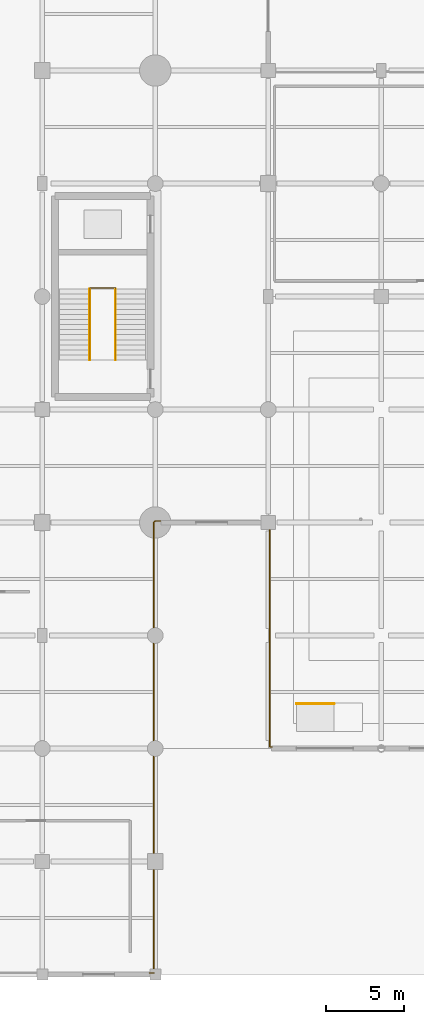
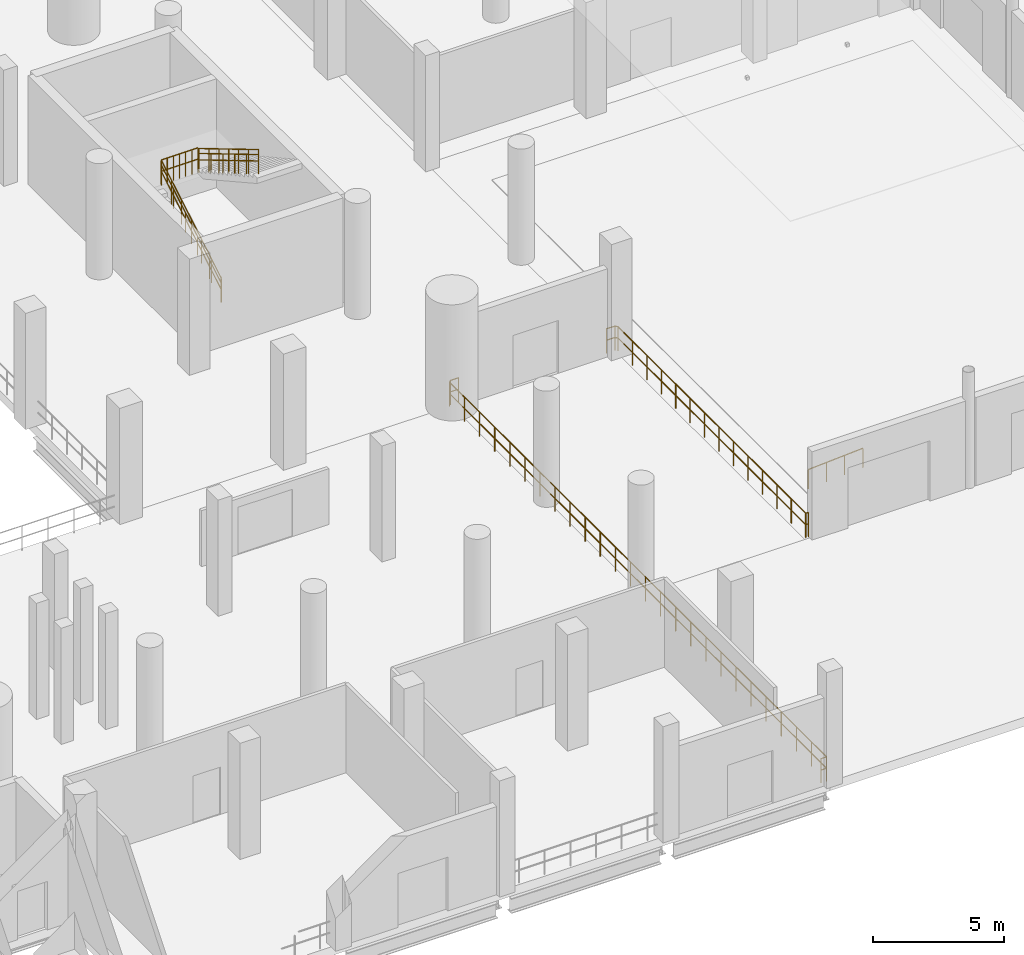
# One storey, part 48 of 58: 9 railings.
"""IFC4 building model written with IfcOpenShell, lengths in metres."""

from ifc_helpers import new_model, si_unit, direction, frame, origin, origin_2d, place, context, subcontext, project, spatial, circle, extrude, material, type_object, element, save


model = new_model("IFC4")

# Units and contexts
model_context = context("Model", 3, precision=1e-05, world=origin(), true_north=direction((0.0, 1.0)))
body_context = subcontext(model_context, "Body", "Model", "MODEL_VIEW")
ifc_project = project(units=[si_unit("LENGTHUNIT", "METRE"), si_unit("AREAUNIT", "SQUARE_METRE"), si_unit("VOLUMEUNIT", "CUBIC_METRE"), si_unit("PLANEANGLEUNIT", "RADIAN"), si_unit("MASSUNIT", "GRAM", prefix="KILO")], contexts=[model_context])

# Site, building, storey
site_placement = place(None, origin())
site = spatial("IfcSite", under=ifc_project, at=site_placement, CompositionType="ELEMENT")
building_placement = place(site_placement, origin())
building = spatial("IfcBuilding", under=site, at=building_placement, Name="Qandorah Velis Arena", CompositionType="ELEMENT")
storey_placement = place(building_placement, origin())
storey = spatial("IfcBuildingStorey", under=building, at=storey_placement, Name="L00", CompositionType="ELEMENT", Elevation=0.0)

# Railings
ifc_material = material(Name="Stainless steel 316", Category="steel")
railing_type_1 = type_object("IfcRailingType", Name="ARC-RL-GRD1150", PredefinedType="GUARDRAIL", material=ifc_material)
railing_1_placement = place(storey_placement, frame((111.0400390625, 43.74609375, 2.699951171875)))
element("IfcRailing", 1, at=railing_1_placement, inside=storey, type_object=railing_type_1, Name="Stair ST11 well guardrail (L00)", PredefinedType="GUARDRAIL", context=body_context, shape_type="SweptSolid", body=[
    extrude(circle(Radius=0.02392578125, at=origin_2d()), frame((0.0, 0.0, 1.1259765625), z_axis=(1.0, 0.0, 0.0), x_axis=(0.0, 1.0, 0.0)), (0.0, 0.0, 1.0), 1.619873046875),
    extrude(circle(Radius=0.02392578125, at=origin_2d()), frame((0.0, 0.0, 0.597900390625), z_axis=(1.0, 0.0, 0.0), x_axis=(0.0, 1.0, 0.0)), (0.0, 0.0, 1.0), 1.619873046875),
    extrude(circle(Radius=0.02099609375, at=origin_2d()), origin(), (0.0, 0.0, 1.0), 1.101806640625),
    extrude(circle(Radius=0.02099609375, at=origin_2d()), frame((0.27001953125, 0.0, 0.0)), (0.0, 0.0, 1.0), 1.101806640625),
    extrude(circle(Radius=0.02099609375, at=origin_2d()), frame((0.5400390625, 0.0, 0.0)), (0.0, 0.0, 1.0), 1.101806640625),
    extrude(circle(Radius=0.02099609375, at=origin_2d()), frame((0.81005859375, 0.0, 0.0)), (0.0, 0.0, 1.0), 1.101806640625),
    extrude(circle(Radius=0.02099609375, at=origin_2d()), frame((1.079833984375, 0.0, 0.0)), (0.0, 0.0, 1.0), 1.101806640625),
    extrude(circle(Radius=0.02099609375, at=origin_2d()), frame((1.349853515625, 0.0, 0.0)), (0.0, 0.0, 1.0), 1.101806640625),
    extrude(circle(Radius=0.02099609375, at=origin_2d()), frame((1.619873046875, 0.0, 0.0)), (0.0, 0.0, 1.0), 1.101806640625),
])
railing_2_placement = place(storey_placement, frame((111.030029296875, 39.14990234375, 0.0)))
element("IfcRailing", 2, at=railing_2_placement, inside=storey, type_object=railing_type_1, Name="Stair ST11 inner flight 1 guardrail (L00)", PredefinedType="GUARDRAIL", context=body_context, shape_type="SweptSolid", body=[
    extrude(circle(Radius=0.02392578125, at=origin_2d()), frame((0.0, 0.0, 1.1259765625), z_axis=(0.0, 0.859303531718, 0.511465971866), x_axis=(-1.0, 0.0, 0.0)), (0.0, 0.0, 1.0), 5.27880859375),
    extrude(circle(Radius=0.02392578125, at=origin_2d()), frame((0.0, 0.0, 0.597900390625), z_axis=(0.0, 0.859303531718, 0.511465971866), x_axis=(-1.0, 0.0, 0.0)), (0.0, 0.0, 1.0), 5.27880859375),
    extrude(circle(Radius=0.02099609375, at=origin_2d()), origin(), (0.0, 0.0, 1.0), 1.101806640625),
    extrude(circle(Radius=0.02099609375, at=origin_2d()), frame((0.0, 0.756103515625, 0.449951171875)), (0.0, 0.0, 1.0), 1.101806640625),
    extrude(circle(Radius=0.02099609375, at=origin_2d()), frame((0.0, 1.511962890625, 0.89990234375)), (0.0, 0.0, 1.0), 1.101806640625),
    extrude(circle(Radius=0.02099609375, at=origin_2d()), frame((0.0, 2.26806640625, 1.35009765625)), (0.0, 0.0, 1.0), 1.101806640625),
    extrude(circle(Radius=0.02099609375, at=origin_2d()), frame((0.0, 3.024169921875, 1.800048828125)), (0.0, 0.0, 1.0), 1.101806640625),
    extrude(circle(Radius=0.02099609375, at=origin_2d()), frame((0.0, 3.780029296875, 2.25)), (0.0, 0.0, 1.0), 1.101806640625),
    extrude(circle(Radius=0.02099609375, at=origin_2d()), frame((0.0, 4.5361328125, 2.699951171875)), (0.0, 0.0, 1.0), 1.101806640625),
])
railing_3_placement = place(storey_placement, frame((112.669921875, 43.68603515625, 2.699951171875)))
element("IfcRailing", 3, at=railing_3_placement, inside=storey, type_object=railing_type_1, Name="Stair ST11 inner flight 2 guardrail (L00)", PredefinedType="GUARDRAIL", context=body_context, shape_type="SweptSolid", body=[
    extrude(circle(Radius=0.02392578125, at=origin_2d()), frame((0.0, 0.0, 1.1259765625), z_axis=(0.0, -0.859303531718, 0.511465971866), x_axis=(1.0, 0.0, 0.0)), (0.0, 0.0, 1.0), 5.27880859375),
    extrude(circle(Radius=0.02392578125, at=origin_2d()), frame((0.0, 0.0, 0.597900390625), z_axis=(0.0, -0.859303531718, 0.511465971866), x_axis=(1.0, 0.0, 0.0)), (0.0, 0.0, 1.0), 5.27880859375),
    extrude(circle(Radius=0.02099609375, at=origin_2d()), origin(), (0.0, 0.0, 1.0), 1.101806640625),
    extrude(circle(Radius=0.02099609375, at=origin_2d()), frame((0.0, -0.756103515625, 0.449951171875)), (0.0, 0.0, 1.0), 1.101806640625),
    extrude(circle(Radius=0.02099609375, at=origin_2d()), frame((0.0, -1.511962890625, 0.89990234375)), (0.0, 0.0, 1.0), 1.101806640625),
    extrude(circle(Radius=0.02099609375, at=origin_2d()), frame((0.0, -2.26806640625, 1.35009765625)), (0.0, 0.0, 1.0), 1.101806640625),
    extrude(circle(Radius=0.02099609375, at=origin_2d()), frame((0.0, -3.024169921875, 1.800048828125)), (0.0, 0.0, 1.0), 1.101806640625),
    extrude(circle(Radius=0.02099609375, at=origin_2d()), frame((0.0, -3.780029296875, 2.25)), (0.0, 0.0, 1.0), 1.101806640625),
    extrude(circle(Radius=0.02099609375, at=origin_2d()), frame((0.0, -4.5361328125, 2.699951171875)), (0.0, 0.0, 1.0), 1.101806640625),
])
railing_4_placement = place(storey_placement, frame((115.10009765625, 0.10009765625, 0.0)))
element("IfcRailing", 4, at=railing_4_placement, inside=storey, type_object=railing_type_1, Name="Slab edge safety guardrail L00-019", PredefinedType="GUARDRAIL", context=body_context, shape_type="SweptSolid", body=[
    extrude(circle(Radius=0.02392578125, at=origin_2d()), frame((0.0, 0.0, 1.1259765625), z_axis=(-1.0, 0.0, 0.0), x_axis=(0.0, -1.0, 0.0)), (0.0, 0.0, 1.0), 0.25),
    extrude(circle(Radius=0.02392578125, at=origin_2d()), frame((0.0, 0.0, 0.597900390625), z_axis=(-1.0, 0.0, 0.0), x_axis=(0.0, -1.0, 0.0)), (0.0, 0.0, 1.0), 0.25),
    extrude(circle(Radius=0.02099609375, at=origin_2d()), origin(), (0.0, 0.0, 1.0), 1.101806640625),
    extrude(circle(Radius=0.02099609375, at=origin_2d()), frame((-0.25, 0.0, 0.0)), (0.0, 0.0, 1.0), 1.101806640625),
])
railing_5_placement = place(storey_placement, frame((122.6201171875, 14.5, 0.0)))
element("IfcRailing", 5, at=railing_5_placement, inside=storey, type_object=railing_type_1, Name="Slab edge safety guardrail L00-067", PredefinedType="GUARDRAIL", context=body_context, shape_type="SweptSolid", body=[
    extrude(circle(Radius=0.02392578125, at=origin_2d()), frame((0.0, 0.0, 1.1259765625), z_axis=(-1.0, 0.0, 0.0), x_axis=(0.0, -1.0, 0.0)), (0.0, 0.0, 1.0), 0.1201171875),
    extrude(circle(Radius=0.02392578125, at=origin_2d()), frame((0.0, 0.0, 0.597900390625), z_axis=(-1.0, 0.0, 0.0), x_axis=(0.0, -1.0, 0.0)), (0.0, 0.0, 1.0), 0.1201171875),
    extrude(circle(Radius=0.02392578125, at=origin_2d()), frame((-0.1201171875, 0.0, 1.1259765625), z_axis=(0.0, 1.0, 0.0), x_axis=(-1.0, 0.0, 0.0)), (0.0, 0.0, 1.0), 14.300048828125),
    extrude(circle(Radius=0.02392578125, at=origin_2d()), frame((-0.1201171875, 0.0, 0.597900390625), z_axis=(0.0, 1.0, 0.0), x_axis=(-1.0, 0.0, 0.0)), (0.0, 0.0, 1.0), 14.300048828125),
    extrude(circle(Radius=0.02392578125, at=origin_2d()), frame((-0.1201171875, 14.300048828125, 1.1259765625), z_axis=(-0.634493378388, 0.772928297309, 0.0), x_axis=(-0.772928297309, -0.634493378388, 0.0)), (0.0, 0.0, 1.0), 0.126953125),
    extrude(circle(Radius=0.02392578125, at=origin_2d()), frame((-0.1201171875, 14.300048828125, 0.597900390625), z_axis=(-0.634493378388, 0.772928297309, 0.0), x_axis=(-0.772928297309, -0.634493378388, 0.0)), (0.0, 0.0, 1.0), 0.126953125),
    extrude(circle(Radius=0.02392578125, at=origin_2d()), frame((-0.20068359375, 14.398193359375, 1.1259765625), z_axis=(-0.999989297598, 0.004626520214, 0.0), x_axis=(-0.004626520214, -0.999989297598, 0.0)), (0.0, 0.0, 1.0), 0.369384765625),
    extrude(circle(Radius=0.02392578125, at=origin_2d()), frame((-0.20068359375, 14.398193359375, 0.597900390625), z_axis=(-0.999989297598, 0.004626520214, 0.0), x_axis=(-0.004626520214, -0.999989297598, 0.0)), (0.0, 0.0, 1.0), 0.369384765625),
    extrude(circle(Radius=0.02099609375, at=origin_2d()), origin(), (0.0, 0.0, 1.0), 1.101806640625),
    extrude(circle(Radius=0.02099609375, at=origin_2d()), frame((-0.1201171875, 0.0, 0.0)), (0.0, 0.0, 1.0), 1.101806640625),
    extrude(circle(Radius=0.02099609375, at=origin_2d()), frame((-0.1201171875, 1.10009765625, 0.0)), (0.0, 0.0, 1.0), 1.101806640625),
    extrude(circle(Radius=0.02099609375, at=origin_2d()), frame((-0.1201171875, 2.199951171875, 0.0)), (0.0, 0.0, 1.0), 1.101806640625),
    extrude(circle(Radius=0.02099609375, at=origin_2d()), frame((-0.1201171875, 3.300048828125, 0.0)), (0.0, 0.0, 1.0), 1.101806640625),
    extrude(circle(Radius=0.02099609375, at=origin_2d()), frame((-0.1201171875, 4.39990234375, 0.0)), (0.0, 0.0, 1.0), 1.101806640625),
    extrude(circle(Radius=0.02099609375, at=origin_2d()), frame((-0.1201171875, 5.5, 0.0)), (0.0, 0.0, 1.0), 1.101806640625),
    extrude(circle(Radius=0.02099609375, at=origin_2d()), frame((-0.1201171875, 6.60009765625, 0.0)), (0.0, 0.0, 1.0), 1.101806640625),
    extrude(circle(Radius=0.02099609375, at=origin_2d()), frame((-0.1201171875, 7.699951171875, 0.0)), (0.0, 0.0, 1.0), 1.101806640625),
    extrude(circle(Radius=0.02099609375, at=origin_2d()), frame((-0.1201171875, 8.800048828125, 0.0)), (0.0, 0.0, 1.0), 1.101806640625),
    extrude(circle(Radius=0.02099609375, at=origin_2d()), frame((-0.1201171875, 9.900146484375, 0.0)), (0.0, 0.0, 1.0), 1.101806640625),
    extrude(circle(Radius=0.02099609375, at=origin_2d()), frame((-0.1201171875, 11.0, 0.0)), (0.0, 0.0, 1.0), 1.101806640625),
    extrude(circle(Radius=0.02099609375, at=origin_2d()), frame((-0.1201171875, 12.10009765625, 0.0)), (0.0, 0.0, 1.0), 1.101806640625),
    extrude(circle(Radius=0.02099609375, at=origin_2d()), frame((-0.1201171875, 13.199951171875, 0.0)), (0.0, 0.0, 1.0), 1.101806640625),
    extrude(circle(Radius=0.02099609375, at=origin_2d()), frame((-0.1201171875, 14.300048828125, 0.0)), (0.0, 0.0, 1.0), 1.101806640625),
    extrude(circle(Radius=0.02099609375, at=origin_2d()), frame((-0.20068359375, 14.398193359375, 0.0)), (0.0, 0.0, 1.0), 1.101806640625),
    extrude(circle(Radius=0.02099609375, at=origin_2d()), frame((-0.570068359375, 14.39990234375, 0.0)), (0.0, 0.0, 1.0), 1.101806640625),
])
railing_6_placement = place(storey_placement, frame((115.550048828125, 28.89990234375, 0.0)))
element("IfcRailing", 6, at=railing_6_placement, inside=storey, type_object=railing_type_1, Name="Slab edge safety guardrail L00-068", PredefinedType="GUARDRAIL", context=body_context, shape_type="SweptSolid", body=[
    extrude(circle(Radius=0.02392578125, at=origin_2d()), frame((0.0, 0.0, 1.1259765625), z_axis=(-1.0, 0.0, 0.0), x_axis=(0.0, -1.0, 0.0)), (0.0, 0.0, 1.0), 0.35009765625),
    extrude(circle(Radius=0.02392578125, at=origin_2d()), frame((0.0, 0.0, 0.597900390625), z_axis=(-1.0, 0.0, 0.0), x_axis=(0.0, -1.0, 0.0)), (0.0, 0.0, 1.0), 0.35009765625),
    extrude(circle(Radius=0.02392578125, at=origin_2d()), frame((-0.35009765625, 0.0, 1.1259765625), z_axis=(-0.773871522392, -0.633342614097, 0.0), x_axis=(0.633342614097, -0.773871522392, 0.0)), (0.0, 0.0, 1.0), 0.126708984375),
    extrude(circle(Radius=0.02392578125, at=origin_2d()), frame((-0.35009765625, 0.0, 0.597900390625), z_axis=(-0.773871522392, -0.633342614097, 0.0), x_axis=(0.633342614097, -0.773871522392, 0.0)), (0.0, 0.0, 1.0), 0.126708984375),
    extrude(circle(Radius=0.02392578125, at=origin_2d()), frame((-0.4482421875, -0.080322265625, 1.1259765625), z_axis=(-5.9506099e-05, -0.99999999823, 0.0), x_axis=(0.99999999823, -5.9506099e-05, 0.0)), (0.0, 0.0, 1.0), 28.719482421875),
    extrude(circle(Radius=0.02392578125, at=origin_2d()), frame((-0.4482421875, -0.080322265625, 0.597900390625), z_axis=(-5.9506099e-05, -0.99999999823, 0.0), x_axis=(0.99999999823, -5.9506099e-05, 0.0)), (0.0, 0.0, 1.0), 28.719482421875),
    extrude(circle(Radius=0.02099609375, at=origin_2d()), origin(), (0.0, 0.0, 1.0), 1.101806640625),
    extrude(circle(Radius=0.02099609375, at=origin_2d()), frame((-0.35009765625, 0.0, 0.0)), (0.0, 0.0, 1.0), 1.101806640625),
    extrude(circle(Radius=0.02099609375, at=origin_2d()), frame((-0.4482421875, -0.080322265625, 0.0)), (0.0, 0.0, 1.0), 1.101806640625),
    extrude(circle(Radius=0.02099609375, at=origin_2d()), frame((-0.4482421875, -1.22900390625, 0.0)), (0.0, 0.0, 1.0), 1.101806640625),
    extrude(circle(Radius=0.02099609375, at=origin_2d()), frame((-0.448486328125, -2.3779296875, 0.0)), (0.0, 0.0, 1.0), 1.101806640625),
    extrude(circle(Radius=0.02099609375, at=origin_2d()), frame((-0.448486328125, -3.526611328125, 0.0)), (0.0, 0.0, 1.0), 1.101806640625),
    extrude(circle(Radius=0.02099609375, at=origin_2d()), frame((-0.448486328125, -4.675537109375, 0.0)), (0.0, 0.0, 1.0), 1.101806640625),
    extrude(circle(Radius=0.02099609375, at=origin_2d()), frame((-0.448486328125, -5.82421875, 0.0)), (0.0, 0.0, 1.0), 1.101806640625),
    extrude(circle(Radius=0.02099609375, at=origin_2d()), frame((-0.44873046875, -6.972900390625, 0.0)), (0.0, 0.0, 1.0), 1.101806640625),
    extrude(circle(Radius=0.02099609375, at=origin_2d()), frame((-0.44873046875, -8.121826171875, 0.0)), (0.0, 0.0, 1.0), 1.101806640625),
    extrude(circle(Radius=0.02099609375, at=origin_2d()), frame((-0.44873046875, -9.2705078125, 0.0)), (0.0, 0.0, 1.0), 1.101806640625),
    extrude(circle(Radius=0.02099609375, at=origin_2d()), frame((-0.448974609375, -10.41943359375, 0.0)), (0.0, 0.0, 1.0), 1.101806640625),
    extrude(circle(Radius=0.02099609375, at=origin_2d()), frame((-0.448974609375, -11.568115234375, 0.0)), (0.0, 0.0, 1.0), 1.101806640625),
    extrude(circle(Radius=0.02099609375, at=origin_2d()), frame((-0.448974609375, -12.716796875, 0.0)), (0.0, 0.0, 1.0), 1.101806640625),
    extrude(circle(Radius=0.02099609375, at=origin_2d()), frame((-0.448974609375, -13.86572265625, 0.0)), (0.0, 0.0, 1.0), 1.101806640625),
    extrude(circle(Radius=0.02099609375, at=origin_2d()), frame((-0.44921875, -15.014404296875, 0.0)), (0.0, 0.0, 1.0), 1.101806640625),
    extrude(circle(Radius=0.02099609375, at=origin_2d()), frame((-0.44921875, -16.163330078125, 0.0)), (0.0, 0.0, 1.0), 1.101806640625),
    extrude(circle(Radius=0.02099609375, at=origin_2d()), frame((-0.44921875, -17.31201171875, 0.0)), (0.0, 0.0, 1.0), 1.101806640625),
    extrude(circle(Radius=0.02099609375, at=origin_2d()), frame((-0.44921875, -18.460693359375, 0.0)), (0.0, 0.0, 1.0), 1.101806640625),
    extrude(circle(Radius=0.02099609375, at=origin_2d()), frame((-0.449462890625, -19.609619140625, 0.0)), (0.0, 0.0, 1.0), 1.101806640625),
    extrude(circle(Radius=0.02099609375, at=origin_2d()), frame((-0.449462890625, -20.75830078125, 0.0)), (0.0, 0.0, 1.0), 1.101806640625),
    extrude(circle(Radius=0.02099609375, at=origin_2d()), frame((-0.449462890625, -21.9072265625, 0.0)), (0.0, 0.0, 1.0), 1.101806640625),
    extrude(circle(Radius=0.02099609375, at=origin_2d()), frame((-0.44970703125, -23.055908203125, 0.0)), (0.0, 0.0, 1.0), 1.101806640625),
    extrude(circle(Radius=0.02099609375, at=origin_2d()), frame((-0.44970703125, -24.20458984375, 0.0)), (0.0, 0.0, 1.0), 1.101806640625),
    extrude(circle(Radius=0.02099609375, at=origin_2d()), frame((-0.44970703125, -25.353515625, 0.0)), (0.0, 0.0, 1.0), 1.101806640625),
    extrude(circle(Radius=0.02099609375, at=origin_2d()), frame((-0.44970703125, -26.502197265625, 0.0)), (0.0, 0.0, 1.0), 1.101806640625),
    extrude(circle(Radius=0.02099609375, at=origin_2d()), frame((-0.449951171875, -27.651123046875, 0.0)), (0.0, 0.0, 1.0), 1.101806640625),
    extrude(circle(Radius=0.02099609375, at=origin_2d()), frame((-0.449951171875, -28.7998046875, 0.0)), (0.0, 0.0, 1.0), 1.101806640625),
])
railing_type_2 = type_object("IfcRailingType", Name="ARC-RL-HND920", PredefinedType="HANDRAIL", material=ifc_material)
railing_7_placement = place(storey_placement, frame((111.030029296875, 39.14990234375, 0.0)))
element("IfcRailing", 7, at=railing_7_placement, inside=storey, type_object=railing_type_2, Name="Stair ST11 inner handrail 1 (L00)", PredefinedType="HANDRAIL", context=body_context, shape_type="SweptSolid", body=[
    extrude(circle(Radius=0.02392578125, at=origin_2d()), frame((0.0, 0.0, 0.89599609375), z_axis=(0.0, 0.859303531718, 0.511465971866), x_axis=(-1.0, 0.0, 0.0)), (0.0, 0.0, 1.0), 5.27880859375),
    extrude(circle(Radius=0.02099609375, at=origin_2d()), origin(), (0.0, 0.0, 1.0), 0.871826171875),
    extrude(circle(Radius=0.02099609375, at=origin_2d()), frame((0.0, 0.9072265625, 0.5400390625)), (0.0, 0.0, 1.0), 0.871826171875),
    extrude(circle(Radius=0.02099609375, at=origin_2d()), frame((0.0, 1.814453125, 1.080078125)), (0.0, 0.0, 1.0), 0.871826171875),
    extrude(circle(Radius=0.02099609375, at=origin_2d()), frame((0.0, 2.7216796875, 1.619873046875)), (0.0, 0.0, 1.0), 0.871826171875),
    extrude(circle(Radius=0.02099609375, at=origin_2d()), frame((0.0, 3.62890625, 2.159912109375)), (0.0, 0.0, 1.0), 0.871826171875),
    extrude(circle(Radius=0.02099609375, at=origin_2d()), frame((0.0, 4.5361328125, 2.699951171875)), (0.0, 0.0, 1.0), 0.871826171875),
])
railing_8_placement = place(storey_placement, frame((112.669921875, 43.68603515625, 2.699951171875)))
element("IfcRailing", 8, at=railing_8_placement, inside=storey, type_object=railing_type_2, Name="Stair ST11 inner handrail 2 (L00)", PredefinedType="HANDRAIL", context=body_context, shape_type="SweptSolid", body=[
    extrude(circle(Radius=0.02392578125, at=origin_2d()), frame((0.0, 0.0, 0.89599609375), z_axis=(0.0, -0.859303531718, 0.511465971866), x_axis=(1.0, 0.0, 0.0)), (0.0, 0.0, 1.0), 5.27880859375),
    extrude(circle(Radius=0.02099609375, at=origin_2d()), origin(), (0.0, 0.0, 1.0), 0.871826171875),
    extrude(circle(Radius=0.02099609375, at=origin_2d()), frame((0.0, -0.9072265625, 0.5400390625)), (0.0, 0.0, 1.0), 0.871826171875),
    extrude(circle(Radius=0.02099609375, at=origin_2d()), frame((0.0, -1.814453125, 1.080078125)), (0.0, 0.0, 1.0), 0.871826171875),
    extrude(circle(Radius=0.02099609375, at=origin_2d()), frame((0.0, -2.7216796875, 1.619873046875)), (0.0, 0.0, 1.0), 0.871826171875),
    extrude(circle(Radius=0.02099609375, at=origin_2d()), frame((0.0, -3.62890625, 2.159912109375)), (0.0, 0.0, 1.0), 0.871826171875),
    extrude(circle(Radius=0.02099609375, at=origin_2d()), frame((0.0, -4.5361328125, 2.699951171875)), (0.0, 0.0, 1.0), 0.871826171875),
])
railing_9_placement = place(storey_placement, frame((124.199951171875, 17.25, 0.0)))
element("IfcRailing", 9, at=railing_9_placement, inside=storey, type_object=railing_type_2, Name="Ramp PR1 handrail", PredefinedType="HANDRAIL", context=body_context, shape_type="SweptSolid", body=[
    extrude(circle(Radius=0.02392578125, at=origin_2d()), frame((0.0, 0.0, 0.89599609375), z_axis=(0.998055342672, 0.0, 0.062334043373), x_axis=(0.0, 1.0, 0.0)), (0.0, 0.0, 1.0), 2.40478515625),
    extrude(circle(Radius=0.02099609375, at=origin_2d()), origin(), (0.0, 0.0, 1.0), 0.871826171875),
    extrude(circle(Radius=0.02099609375, at=origin_2d()), frame((0.800048828125, 0.0, 0.050048828125)), (0.0, 0.0, 1.0), 0.871826171875),
    extrude(circle(Radius=0.02099609375, at=origin_2d()), frame((1.60009765625, 0.0, 0.099853515625)), (0.0, 0.0, 1.0), 0.871826171875),
    extrude(circle(Radius=0.02099609375, at=origin_2d()), frame((2.400146484375, 0.0, 0.14990234375)), (0.0, 0.0, 1.0), 0.871826171875),
])

save(model, "model.ifc")
